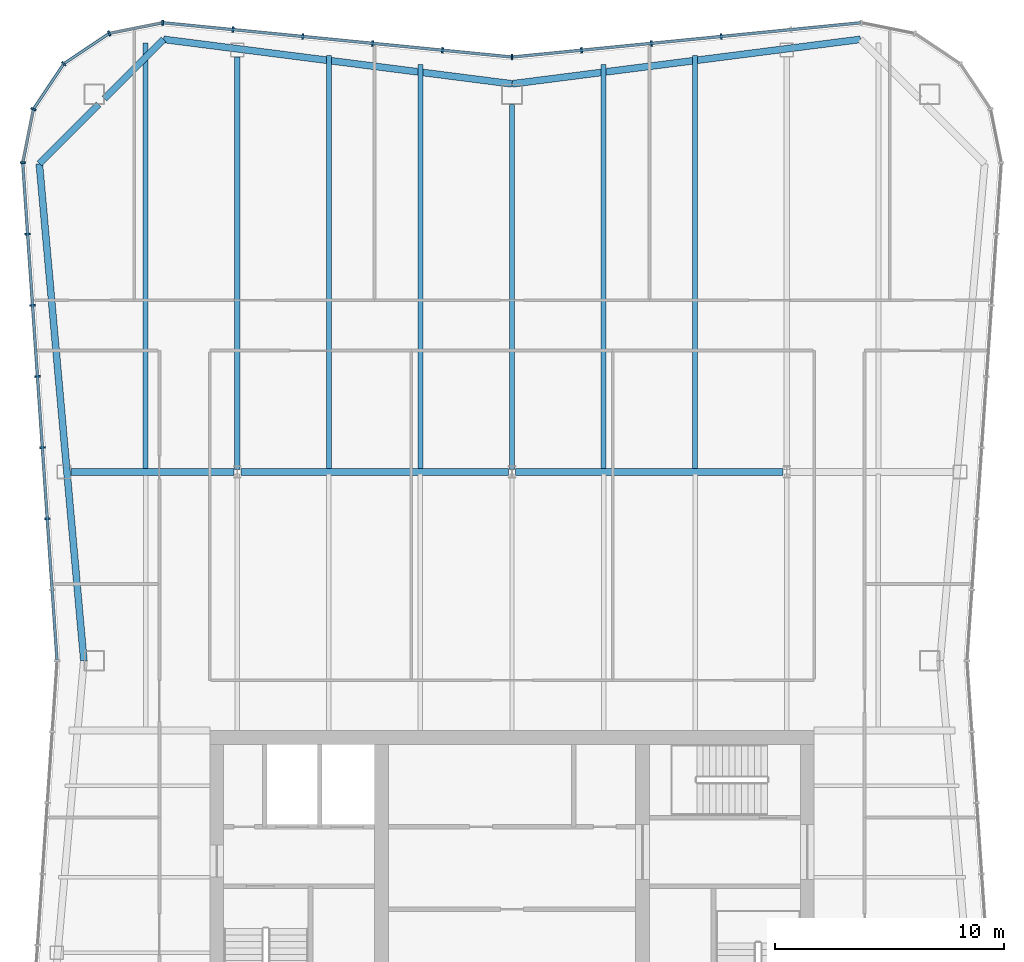
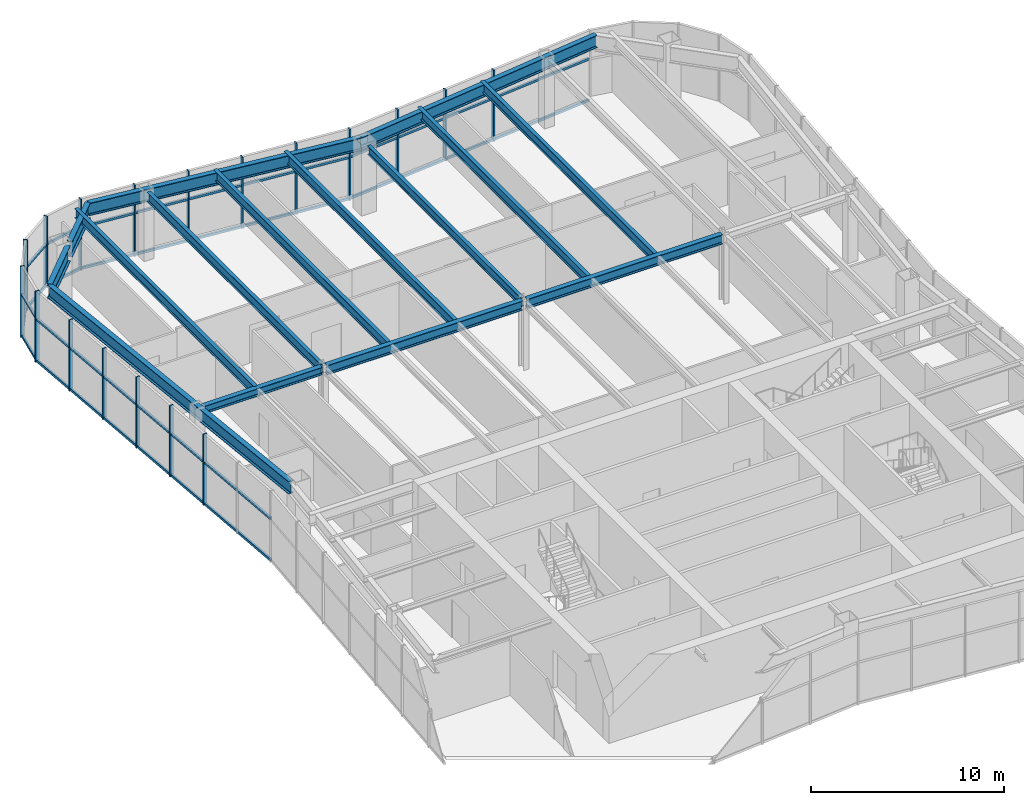
# One storey, part 6 of 13: 32 members, 15 beams, 3 elements without a shape of their own.
"""IFC4 building model written with IfcOpenShell, lengths in metres."""

from ifc_helpers import new_model, si_unit, direction, frame, origin, origin_2d, place, context, subcontext, project, spatial, rectangle, i_section, extrude, material, material_profile, profile_set, type_object, element, aggregate, save


model = new_model("IFC4")

# Units and contexts
model_context = context("Model", 3, precision=1e-05, world=origin(), true_north=direction((0.0, 1.0)))
body_context = subcontext(model_context, "Body", "Model", "MODEL_VIEW")
ifc_project = project(units=[si_unit("LENGTHUNIT", "METRE"), si_unit("AREAUNIT", "SQUARE_METRE"), si_unit("VOLUMEUNIT", "CUBIC_METRE"), si_unit("PLANEANGLEUNIT", "RADIAN"), si_unit("MASSUNIT", "GRAM", prefix="KILO")], contexts=[model_context])

# Site, building, storey
site_placement = place(None, origin())
site = spatial("IfcSite", under=ifc_project, at=site_placement, CompositionType="ELEMENT")
building_placement = place(site_placement, origin())
building = spatial("IfcBuilding", under=site, at=building_placement, Name="Verdant Reach Tower", CompositionType="ELEMENT")
storey_placement = place(building_placement, frame((0.0, 0.0, 359.5)))
storey = spatial("IfcBuildingStorey", under=building, at=storey_placement, Name="L81 Plant", CompositionType="ELEMENT", Elevation=359.5)

# Curtain wall, members
ifc_material_1 = material(Name="Anodised aluminium", Category="aluminium")
curtain_wall_type = type_object("IfcCurtainWallType", Name="EN-CW SYSTEM PLANT", PredefinedType="NOTDEFINED", material=ifc_material_1)
curtain_wall_1_placement = place(storey_placement, origin())
curtain_wall_1 = element("IfcCurtainWall", 1, at=curtain_wall_1_placement, inside=storey, type_object=curtain_wall_type, Name="Curtain wall north, L81", PredefinedType="NOTDEFINED")
ifc_material_profile_1 = material_profile(ifc_material_1, rectangle(XDim=0.238037109375, YDim=0.080078125, at=origin_2d()), Name="Mullion 80x240")
ifc_profile_set_1 = profile_set([ifc_material_profile_1], Name="Anodised aluminium")
member_type_1 = type_object("IfcMemberType", Name="EN-MULLION PLANT", PredefinedType="MULLION", material=ifc_profile_set_1)
member_1_placement = place(storey_placement, frame((9.138427734375, 68.518310546875, -0.35009765625), z_axis=(0.0, 0.0, 1.0), x_axis=(-0.09788826992, 0.995197410875, 0.0)))
member_1 = element("IfcMember", 2, at=member_1_placement, type_object=member_type_1, Name="Mullion north face part 1 3, L81", PredefinedType="MULLION", context=body_context, shape_type="SweptSolid", body=[
    extrude(rectangle(XDim=0.238037109375, YDim=0.080078125, at=origin_2d()), origin(), (0.0, 0.0, 1.0), 4.5),
])
member_2_placement = place(storey_placement, frame((6.08837890625, 68.218505859375, -0.35009765625), z_axis=(0.0, 0.0, 1.0), x_axis=(-0.09788826992, 0.995197410875, 0.0)))
member_2 = element("IfcMember", 3, at=member_2_placement, type_object=member_type_1, Name="Mullion north face part 1 4, L81", PredefinedType="MULLION", context=body_context, shape_type="SweptSolid", body=[
    extrude(rectangle(XDim=0.238037109375, YDim=0.080078125, at=origin_2d()), origin(), (0.0, 0.0, 1.0), 4.5),
])
member_3_placement = place(storey_placement, frame((3.038330078125, 67.91845703125, -0.35009765625), z_axis=(0.0, 0.0, 1.0), x_axis=(-0.09788826992, 0.995197410875, 0.0)))
member_3 = element("IfcMember", 4, at=member_3_placement, type_object=member_type_1, Name="Mullion north face part 1 5, L81", PredefinedType="MULLION", context=body_context, shape_type="SweptSolid", body=[
    extrude(rectangle(XDim=0.238037109375, YDim=0.080078125, at=origin_2d()), origin(), (0.0, 0.0, 1.0), 4.5),
])
member_4_placement = place(storey_placement, frame((0.0, 67.618896484375, -0.35009765625), z_axis=(0.0, 0.0, 1.0), x_axis=(0.0, 1.0, 0.0)))
member_4 = element("IfcMember", 5, at=member_4_placement, type_object=member_type_1, Name="Mullion north face part 2 1, L81", PredefinedType="MULLION", context=body_context, shape_type="SweptSolid", body=[
    extrude(rectangle(XDim=0.238037109375, YDim=0.080078125, at=origin_2d()), origin(), (0.0, 0.0, 1.0), 4.5),
])
member_5_placement = place(storey_placement, frame((-3.038330078125, 67.91845703125, -0.35009765625), z_axis=(0.0, 0.0, 1.0), x_axis=(0.09788826992, 0.995197410875, 0.0)))
member_5 = element("IfcMember", 6, at=member_5_placement, type_object=member_type_1, Name="Mullion north face part 2 2, L81", PredefinedType="MULLION", context=body_context, shape_type="SweptSolid", body=[
    extrude(rectangle(XDim=0.238037109375, YDim=0.080078125, at=origin_2d()), origin(), (0.0, 0.0, 1.0), 4.5),
])
member_6_placement = place(storey_placement, frame((-6.08837890625, 68.218505859375, -0.35009765625), z_axis=(0.0, 0.0, 1.0), x_axis=(0.09788826992, 0.995197410875, 0.0)))
member_6 = element("IfcMember", 7, at=member_6_placement, type_object=member_type_1, Name="Mullion north face part 2 3, L81", PredefinedType="MULLION", context=body_context, shape_type="SweptSolid", body=[
    extrude(rectangle(XDim=0.238037109375, YDim=0.080078125, at=origin_2d()), origin(), (0.0, 0.0, 1.0), 4.5),
])
member_7_placement = place(storey_placement, frame((-9.138427734375, 68.518310546875, -0.35009765625), z_axis=(0.0, 0.0, 1.0), x_axis=(0.09788826992, 0.995197410875, 0.0)))
member_7 = element("IfcMember", 8, at=member_7_placement, type_object=member_type_1, Name="Mullion north face part 2 4, L81", PredefinedType="MULLION", context=body_context, shape_type="SweptSolid", body=[
    extrude(rectangle(XDim=0.238037109375, YDim=0.080078125, at=origin_2d()), origin(), (0.0, 0.0, 1.0), 4.5),
])
member_8_placement = place(storey_placement, frame((-12.188232421875, 68.818359375, -0.35009765625), z_axis=(0.0, 0.0, 1.0), x_axis=(0.09788826992, 0.995197410875, 0.0)))
member_8 = element("IfcMember", 9, at=member_8_placement, type_object=member_type_1, Name="Mullion north face part 2 5, L81", PredefinedType="MULLION", context=body_context, shape_type="SweptSolid", body=[
    extrude(rectangle(XDim=0.238037109375, YDim=0.080078125, at=origin_2d()), origin(), (0.0, 0.0, 1.0), 4.5),
])

curtain_wall_2_placement = place(storey_placement, origin())
curtain_wall_2 = element("IfcCurtainWall", 10, at=curtain_wall_2_placement, inside=storey, type_object=curtain_wall_type, Name="Curtain wall north-west corner, L81", PredefinedType="NOTDEFINED")
member_9_placement = place(storey_placement, frame((-15.255859375, 69.118896484375, -0.35009765625), z_axis=(0.0, 0.0, 1.0), x_axis=(-0.049127596288, 0.998792510626, 0.0)))
member_9 = element("IfcMember", 11, at=member_9_placement, type_object=member_type_1, Name="Mullion north-west corner 1, L81", PredefinedType="MULLION", context=body_context, shape_type="SweptSolid", body=[
    extrude(rectangle(XDim=0.238037109375, YDim=0.080078125, at=origin_2d()), origin(), (0.0, 0.0, 1.0), 4.5),
])
member_10_placement = place(storey_placement, frame((-17.591552734375, 68.6533203125, -0.35009765625), z_axis=(0.0, 0.0, 1.0), x_axis=(-0.382693853776, 0.923875215753, 0.0)))
member_10 = element("IfcMember", 12, at=member_10_placement, type_object=member_type_1, Name="Mullion north-west corner 2, L81", PredefinedType="MULLION", context=body_context, shape_type="SweptSolid", body=[
    extrude(rectangle(XDim=0.238037109375, YDim=0.080078125, at=origin_2d()), origin(), (0.0, 0.0, 1.0), 4.5),
])
member_11_placement = place(storey_placement, frame((-19.57666015625, 67.32666015625, -0.35009765625), z_axis=(0.0, 0.0, 1.0), x_axis=(-0.707106781187, 0.707106781187, 0.0)))
member_11 = element("IfcMember", 13, at=member_11_placement, type_object=member_type_1, Name="Mullion north-west corner 3, L81", PredefinedType="MULLION", context=body_context, shape_type="SweptSolid", body=[
    extrude(rectangle(XDim=0.238037109375, YDim=0.080078125, at=origin_2d()), origin(), (0.0, 0.0, 1.0), 4.5),
])
member_12_placement = place(storey_placement, frame((-20.9033203125, 65.341552734375, -0.35009765625), z_axis=(0.0, 0.0, 1.0), x_axis=(-0.923875215753, 0.382693853776, 0.0)))
member_12 = element("IfcMember", 14, at=member_12_placement, type_object=member_type_1, Name="Mullion north-west corner 4, L81", PredefinedType="MULLION", context=body_context, shape_type="SweptSolid", body=[
    extrude(rectangle(XDim=0.238037109375, YDim=0.080078125, at=origin_2d()), origin(), (0.0, 0.0, 1.0), 4.5),
])

curtain_wall_3_placement = place(storey_placement, origin())
curtain_wall_3 = element("IfcCurtainWall", 15, at=curtain_wall_3_placement, inside=storey, type_object=curtain_wall_type, Name="Curtain wall west, L81", PredefinedType="NOTDEFINED")
member_13_placement = place(storey_placement, frame((-21.36865234375, 63.007568359375, -0.35009765625), z_axis=(0.0, 0.0, 1.0), x_axis=(-0.997969180898, 0.063698618332, 0.0)))
member_13 = element("IfcMember", 16, at=member_13_placement, type_object=member_type_1, Name="Mullion west face part 1 1, L81", PredefinedType="MULLION", context=body_context, shape_type="SweptSolid", body=[
    extrude(rectangle(XDim=0.238037109375, YDim=0.080078125, at=origin_2d()), origin(), (0.0, 0.0, 1.0), 4.5),
])
member_14_placement = place(storey_placement, frame((-21.154541015625, 59.884765625, -0.35009765625), z_axis=(0.0, 0.0, 1.0), x_axis=(-0.997630328423, -0.068802091615, 0.0)))
member_14 = element("IfcMember", 17, at=member_14_placement, type_object=member_type_1, Name="Mullion west face part 1 2, L81", PredefinedType="MULLION", context=body_context, shape_type="SweptSolid", body=[
    extrude(rectangle(XDim=0.238037109375, YDim=0.080078125, at=origin_2d()), origin(), (0.0, 0.0, 1.0), 4.5),
])
member_15_placement = place(storey_placement, frame((-20.940185546875, 56.777587890625, -0.35009765625), z_axis=(0.0, 0.0, 1.0), x_axis=(-0.997630328423, -0.068802091615, 0.0)))
member_15 = element("IfcMember", 18, at=member_15_placement, type_object=member_type_1, Name="Mullion west face part 1 3, L81", PredefinedType="MULLION", context=body_context, shape_type="SweptSolid", body=[
    extrude(rectangle(XDim=0.238037109375, YDim=0.080078125, at=origin_2d()), origin(), (0.0, 0.0, 1.0), 4.5),
])
member_16_placement = place(storey_placement, frame((-20.725830078125, 53.67041015625, -0.35009765625), z_axis=(0.0, 0.0, 1.0), x_axis=(-0.997630328423, -0.068802091615, 0.0)))
member_16 = element("IfcMember", 19, at=member_16_placement, type_object=member_type_1, Name="Mullion west face part 1 4, L81", PredefinedType="MULLION", context=body_context, shape_type="SweptSolid", body=[
    extrude(rectangle(XDim=0.238037109375, YDim=0.080078125, at=origin_2d()), origin(), (0.0, 0.0, 1.0), 4.5),
])
member_17_placement = place(storey_placement, frame((-20.511474609375, 50.563232421875, -0.35009765625), z_axis=(0.0, 0.0, 1.0), x_axis=(-0.997630328423, -0.068802091615, 0.0)))
member_17 = element("IfcMember", 20, at=member_17_placement, type_object=member_type_1, Name="Mullion west face part 1 5, L81", PredefinedType="MULLION", context=body_context, shape_type="SweptSolid", body=[
    extrude(rectangle(XDim=0.238037109375, YDim=0.080078125, at=origin_2d()), origin(), (0.0, 0.0, 1.0), 4.5),
])
member_18_placement = place(storey_placement, frame((-20.29736328125, 47.4560546875, -0.35009765625), z_axis=(0.0, 0.0, 1.0), x_axis=(-0.997630328423, -0.068802091615, 0.0)))
member_18 = element("IfcMember", 21, at=member_18_placement, type_object=member_type_1, Name="Mullion west face part 1 6, L81", PredefinedType="MULLION", context=body_context, shape_type="SweptSolid", body=[
    extrude(rectangle(XDim=0.238037109375, YDim=0.080078125, at=origin_2d()), origin(), (0.0, 0.0, 1.0), 4.5),
])

# Member
ifc_material_profile_2 = material_profile(ifc_material_1, rectangle(XDim=0.1201171875, YDim=0.14990234375, at=origin_2d()), Name="Transom 150x120")
ifc_profile_set_2 = profile_set([ifc_material_profile_2], Name="Anodised aluminium")
member_type_2 = type_object("IfcMemberType", Name="EN-TRANSOM PLANT", PredefinedType="USERDEFINED", material=ifc_profile_set_2)
member_19_placement = place(storey_placement, frame((15.216064453125, 69.114990234375, -0.27490234375), z_axis=(-0.995200989722, -0.097851878144, 0.0), x_axis=(0.097851878144, -0.995200989722, 0.0)))
member_19 = element("IfcMember", 22, at=member_19_placement, type_object=member_type_2, Name="Transom north face part 1 1.1, L81", ObjectType="TRANSOM", PredefinedType="USERDEFINED", context=body_context, shape_type="SweptSolid", body=[
    extrude(rectangle(XDim=0.1201171875, YDim=0.14990234375, at=origin_2d()), origin(), (0.0, 0.0, 1.0), 15.24951171875),
])

member_20_placement = place(storey_placement, frame((15.216064453125, 69.114990234375, 2.35009765625), z_axis=(-0.995200989722, -0.097851878144, 0.0), x_axis=(0.097851878144, -0.995200989722, 0.0)))
member_20 = element("IfcMember", 23, at=member_20_placement, type_object=member_type_2, Name="Transom north face part 1 1.2, L81", ObjectType="TRANSOM", PredefinedType="USERDEFINED", context=body_context, shape_type="SweptSolid", body=[
    extrude(rectangle(XDim=0.1201171875, YDim=0.14990234375, at=origin_2d()), origin(), (0.0, 0.0, 1.0), 15.24951171875),
])

member_21_placement = place(storey_placement, frame((-0.039794921875, 67.622802734375, -0.27490234375), z_axis=(-0.995200989722, 0.097851878144, 0.0), x_axis=(-0.097851878144, -0.995200989722, 0.0)))
member_21 = element("IfcMember", 24, at=member_21_placement, type_object=member_type_2, Name="Transom north face part 2 1.1, L81", ObjectType="TRANSOM", PredefinedType="USERDEFINED", context=body_context, shape_type="SweptSolid", body=[
    extrude(rectangle(XDim=0.1201171875, YDim=0.14990234375, at=origin_2d()), origin(), (0.0, 0.0, 1.0), 15.24951171875),
])

member_22_placement = place(storey_placement, frame((-0.039794921875, 67.622802734375, 2.35009765625), z_axis=(-0.995200989722, 0.097851878144, 0.0), x_axis=(-0.097851878144, -0.995200989722, 0.0)))
member_22 = element("IfcMember", 25, at=member_22_placement, type_object=member_type_2, Name="Transom north face part 2 1.2, L81", ObjectType="TRANSOM", PredefinedType="USERDEFINED", context=body_context, shape_type="SweptSolid", body=[
    extrude(rectangle(XDim=0.1201171875, YDim=0.14990234375, at=origin_2d()), origin(), (0.0, 0.0, 1.0), 15.24951171875),
])

aggregate(curtain_wall_1, [member_1, member_2, member_3, member_19, member_20, member_4, member_5, member_6, member_7, member_8, member_21, member_22])

member_23_placement = place(storey_placement, frame((-15.295166015625, 69.111083984375, -0.27490234375), z_axis=(-0.980706937788, -0.195483764476, 0.0), x_axis=(0.195483764476, -0.980706937788, 0.0)))
member_23 = element("IfcMember", 26, at=member_23_placement, type_object=member_type_2, Name="Transom north-west corner 1.1, L81", ObjectType="TRANSOM", PredefinedType="USERDEFINED", context=body_context, shape_type="SweptSolid", body=[
    extrude(rectangle(XDim=0.1201171875, YDim=0.14990234375, at=origin_2d()), origin(), (0.0, 0.0, 1.0), 2.3017578125),
])

member_24_placement = place(storey_placement, frame((-17.625, 68.631103515625, -0.27490234375), z_axis=(-0.831398626828, -0.5556764556, 0.0), x_axis=(0.5556764556, -0.831398626828, 0.0)))
member_24 = element("IfcMember", 27, at=member_24_placement, type_object=member_type_2, Name="Transom north-west corner 2.1, L81", ObjectType="TRANSOM", PredefinedType="USERDEFINED", context=body_context, shape_type="SweptSolid", body=[
    extrude(rectangle(XDim=0.1201171875, YDim=0.14990234375, at=origin_2d()), origin(), (0.0, 0.0, 1.0), 2.3076171875),
])

member_25_placement = place(storey_placement, frame((-19.598876953125, 67.29345703125, -0.27490234375), z_axis=(-0.5556764556, -0.831398626828, 0.0), x_axis=(0.831398626828, -0.5556764556, 0.0)))
member_25 = element("IfcMember", 28, at=member_25_placement, type_object=member_type_2, Name="Transom north-west corner 3.1, L81", ObjectType="TRANSOM", PredefinedType="USERDEFINED", context=body_context, shape_type="SweptSolid", body=[
    extrude(rectangle(XDim=0.1201171875, YDim=0.14990234375, at=origin_2d()), origin(), (0.0, 0.0, 1.0), 2.3076171875),
])

member_26_placement = place(storey_placement, frame((-20.9111328125, 65.302490234375, -0.27490234375), z_axis=(-0.195524121666, -0.980698892549, 0.0), x_axis=(0.980698892549, -0.195524121666, 0.0)))
member_26 = element("IfcMember", 29, at=member_26_placement, type_object=member_type_2, Name="Transom north-west corner 4.1, L81", ObjectType="TRANSOM", PredefinedType="USERDEFINED", context=body_context, shape_type="SweptSolid", body=[
    extrude(rectangle(XDim=0.1201171875, YDim=0.14990234375, at=origin_2d()), origin(), (0.0, 0.0, 1.0), 2.300048828125),
])

member_27_placement = place(storey_placement, frame((-15.295166015625, 69.111083984375, 2.35009765625), z_axis=(-0.980706937788, -0.195483764476, 0.0), x_axis=(0.195483764476, -0.980706937788, 0.0)))
member_27 = element("IfcMember", 30, at=member_27_placement, type_object=member_type_2, Name="Transom north-west corner 1.2, L81", ObjectType="TRANSOM", PredefinedType="USERDEFINED", context=body_context, shape_type="SweptSolid", body=[
    extrude(rectangle(XDim=0.1201171875, YDim=0.14990234375, at=origin_2d()), origin(), (0.0, 0.0, 1.0), 2.3017578125),
])

member_28_placement = place(storey_placement, frame((-17.625, 68.631103515625, 2.35009765625), z_axis=(-0.831398626828, -0.5556764556, 0.0), x_axis=(0.5556764556, -0.831398626828, 0.0)))
member_28 = element("IfcMember", 31, at=member_28_placement, type_object=member_type_2, Name="Transom north-west corner 2.2, L81", ObjectType="TRANSOM", PredefinedType="USERDEFINED", context=body_context, shape_type="SweptSolid", body=[
    extrude(rectangle(XDim=0.1201171875, YDim=0.14990234375, at=origin_2d()), origin(), (0.0, 0.0, 1.0), 2.3076171875),
])

member_29_placement = place(storey_placement, frame((-19.598876953125, 67.29345703125, 2.35009765625), z_axis=(-0.5556764556, -0.831398626828, 0.0), x_axis=(0.831398626828, -0.5556764556, 0.0)))
member_29 = element("IfcMember", 32, at=member_29_placement, type_object=member_type_2, Name="Transom north-west corner 3.2, L81", ObjectType="TRANSOM", PredefinedType="USERDEFINED", context=body_context, shape_type="SweptSolid", body=[
    extrude(rectangle(XDim=0.1201171875, YDim=0.14990234375, at=origin_2d()), origin(), (0.0, 0.0, 1.0), 2.3076171875),
])

member_30_placement = place(storey_placement, frame((-20.9111328125, 65.302490234375, 2.35009765625), z_axis=(-0.195524121666, -0.980698892549, 0.0), x_axis=(0.980698892549, -0.195524121666, 0.0)))
member_30 = element("IfcMember", 33, at=member_30_placement, type_object=member_type_2, Name="Transom north-west corner 4.2, L81", ObjectType="TRANSOM", PredefinedType="USERDEFINED", context=body_context, shape_type="SweptSolid", body=[
    extrude(rectangle(XDim=0.1201171875, YDim=0.14990234375, at=origin_2d()), origin(), (0.0, 0.0, 1.0), 2.300048828125),
])

aggregate(curtain_wall_2, [member_9, member_10, member_11, member_12, member_23, member_24, member_25, member_26, member_27, member_28, member_29, member_30])

member_31_placement = place(storey_placement, frame((-21.365966796875, 62.9677734375, -0.27490234375), z_axis=(0.068761218296, -0.997633146431, 0.0), x_axis=(0.997633146431, 0.068761218296, 0.0)))
member_31 = element("IfcMember", 34, at=member_31_placement, type_object=member_type_2, Name="Transom west face part 1 1.1, L81", ObjectType="TRANSOM", PredefinedType="USERDEFINED", context=body_context, shape_type="SweptSolid", body=[
    extrude(rectangle(XDim=0.1201171875, YDim=0.14990234375, at=origin_2d()), origin(), (0.0, 0.0, 1.0), 21.7294921875),
])

member_32_placement = place(storey_placement, frame((-21.365966796875, 62.9677734375, 2.35009765625), z_axis=(0.068761218296, -0.997633146431, 0.0), x_axis=(0.997633146431, 0.068761218296, 0.0)))
member_32 = element("IfcMember", 35, at=member_32_placement, type_object=member_type_2, Name="Transom west face part 1 1.2, L81", ObjectType="TRANSOM", PredefinedType="USERDEFINED", context=body_context, shape_type="SweptSolid", body=[
    extrude(rectangle(XDim=0.1201171875, YDim=0.14990234375, at=origin_2d()), origin(), (0.0, 0.0, 1.0), 21.7294921875),
])

aggregate(curtain_wall_3, [member_13, member_14, member_15, member_16, member_17, member_18, member_31, member_32])

# Beams
ifc_material_2 = material(Name="Steel S355", Category="steel")
ifc_material_profile_3 = material_profile(ifc_material_2, i_section(OverallWidth=0.300048828125, OverallDepth=0.489990234375, WebThickness=0.011962890625, FlangeThickness=0.02294921875, FilletRadius=0.027099609375, at=origin_2d()), Name="HEA 500")
ifc_profile_set_3 = profile_set([ifc_material_profile_3], Name="Steel S355")
beam_type_1 = type_object("IfcBeamType", Name="ST-BEAM-HEA500", PredefinedType="BEAM", material=ifc_profile_set_3)
beam_1_placement = place(storey_placement, frame((-19.26904296875, 49.5, 4.10498046875), z_axis=(1.0, 0.0, 0.0), x_axis=(0.0, 1.0, 0.0)))
element("IfcBeam", 36, at=beam_1_placement, inside=storey, type_object=beam_type_1, Name="Row girder, L81 Plant", PredefinedType="BEAM", context=body_context, shape_type="SweptSolid", body=[
    extrude(i_section(OverallWidth=0.300048828125, OverallDepth=0.489990234375, WebThickness=0.011962890625, FlangeThickness=0.02294921875, FilletRadius=0.027099609375, at=origin_2d()), origin(), (0.0, 0.0, 1.0), 7.115966796875),
])
ifc_material_profile_4 = material_profile(ifc_material_2, i_section(OverallWidth=0.300048828125, OverallDepth=0.60009765625, WebThickness=0.015380859375, FlangeThickness=0.030029296875, FilletRadius=0.027099609375, at=origin_2d()), Name="HEB 600")
ifc_profile_set_4 = profile_set([ifc_material_profile_4], Name="Steel S355")
beam_type_2 = type_object("IfcBeamType", Name="ST-BEAM-HEB600", PredefinedType="BEAM", material=ifc_profile_set_4)
for number, where, z_axis, x_axis, name in (
    (37, (-11.846923828125, 49.5, 4.050048828125), (1.0, 0.0, 0.0), (0.0, 1.0, 0.0), "Row girder, L81 Plant"),
    (38, (0.153076171875, 49.5, 4.050048828125), (1.0, 0.0, 0.0), (0.0, 1.0, 0.0), "Row girder, L81 Plant"),
):
    element("IfcBeam", number, at=place(storey_placement, frame(where, z_axis=z_axis, x_axis=x_axis)), inside=storey, type_object=beam_type_2, Name=name, PredefinedType="BEAM", context=body_context, shape_type="SweptSolid", body=[
        extrude(i_section(OverallWidth=0.300048828125, OverallDepth=0.60009765625, WebThickness=0.015380859375, FlangeThickness=0.030029296875, FilletRadius=0.027099609375, at=origin_2d()), origin(), (0.0, 0.0, 1.0), 11.69384765625),
    ])
ifc_material_profile_5 = material_profile(ifc_material_2, i_section(OverallWidth=0.2099609375, OverallDepth=0.550048828125, WebThickness=0.010986328125, FlangeThickness=0.01708984375, FilletRadius=0.02392578125, at=origin_2d()), Name="IPE 550")
ifc_profile_set_5 = profile_set([ifc_material_profile_5], Name="Steel S355")
beam_type_3 = type_object("IfcBeamType", Name="ST-JOIST-IPE550", PredefinedType="JOIST", material=ifc_profile_set_5)
beam_2_placement = place(storey_placement, frame((0.0, 49.60009765625, 4.074951171875), z_axis=(0.0, 1.0, 0.0), x_axis=(-1.0, 0.0, 0.0)))
element("IfcBeam", 39, at=beam_2_placement, inside=storey, type_object=beam_type_3, Name="Floor joist, L81 Plant", PredefinedType="JOIST", context=body_context, shape_type="SweptSolid", body=[
    extrude(i_section(OverallWidth=0.2099609375, OverallDepth=0.550048828125, WebThickness=0.010986328125, FlangeThickness=0.01708984375, FilletRadius=0.02392578125, at=origin_2d()), origin(), (0.0, 0.0, 1.0), 15.949951171875),
])
ifc_material_profile_6 = material_profile(ifc_material_2, i_section(OverallWidth=0.219970703125, OverallDepth=0.60009765625, WebThickness=0.011962890625, FlangeThickness=0.01904296875, FilletRadius=0.02392578125, at=origin_2d()), Name="IPE 600")
ifc_profile_set_6 = profile_set([ifc_material_profile_6], Name="Steel S355")
beam_type_4 = type_object("IfcBeamType", Name="ST-JOIST-IPE600", PredefinedType="JOIST", material=ifc_profile_set_6)
beam_3_placement = place(storey_placement, frame((-16.0, 49.60009765625, 4.050048828125), z_axis=(0.0, 1.0, 0.0), x_axis=(-1.0, 0.0, 0.0)))
element("IfcBeam", 40, at=beam_3_placement, inside=storey, type_object=beam_type_4, Name="Floor joist, L81 Plant", PredefinedType="JOIST", context=body_context, shape_type="SweptSolid", body=[
    extrude(i_section(OverallWidth=0.219970703125, OverallDepth=0.60009765625, WebThickness=0.011962890625, FlangeThickness=0.01904296875, FilletRadius=0.02392578125, at=origin_2d()), origin(), (0.0, 0.0, 1.0), 18.638916015625),
])
beam_4_placement = place(storey_placement, frame((-12.0, 49.60009765625, 4.050048828125), z_axis=(0.0, 1.0, 0.0), x_axis=(-1.0, 0.0, 0.0)))
element("IfcBeam", 41, at=beam_4_placement, inside=storey, type_object=beam_type_4, Name="Floor joist, L81 Plant", PredefinedType="JOIST", context=body_context, shape_type="SweptSolid", body=[
    extrude(i_section(OverallWidth=0.219970703125, OverallDepth=0.60009765625, WebThickness=0.011962890625, FlangeThickness=0.01904296875, FilletRadius=0.02392578125, at=origin_2d()), origin(), (0.0, 0.0, 1.0), 18.0302734375),
])
beam_5_placement = place(storey_placement, frame((-8.0, 49.60009765625, 4.050048828125), z_axis=(0.0, 1.0, 0.0), x_axis=(-1.0, 0.0, 0.0)))
element("IfcBeam", 42, at=beam_5_placement, inside=storey, type_object=beam_type_4, Name="Floor joist, L81 Plant", PredefinedType="JOIST", context=body_context, shape_type="SweptSolid", body=[
    extrude(i_section(OverallWidth=0.219970703125, OverallDepth=0.60009765625, WebThickness=0.011962890625, FlangeThickness=0.01904296875, FilletRadius=0.02392578125, at=origin_2d()), origin(), (0.0, 0.0, 1.0), 18.083984375),
])
for number, where, z_axis, x_axis, name in (
    (43, (-4.0, 49.60009765625, 4.050048828125), (0.0, 1.0, 0.0), (-1.0, 0.0, 0.0), "Floor joist, L81 Plant"),
    (44, (4.0, 49.60009765625, 4.050048828125), (0.0, 1.0, 0.0), (-1.0, 0.0, 0.0), "Floor joist, L81 Plant"),
):
    element("IfcBeam", number, at=place(storey_placement, frame(where, z_axis=z_axis, x_axis=x_axis)), inside=storey, type_object=beam_type_4, Name=name, PredefinedType="JOIST", context=body_context, shape_type="SweptSolid", body=[
        extrude(i_section(OverallWidth=0.219970703125, OverallDepth=0.60009765625, WebThickness=0.011962890625, FlangeThickness=0.01904296875, FilletRadius=0.02392578125, at=origin_2d()), origin(), (0.0, 0.0, 1.0), 17.6904296875),
    ])
beam_6_placement = place(storey_placement, frame((8.0, 49.60009765625, 4.050048828125), z_axis=(0.0, 1.0, 0.0), x_axis=(-1.0, 0.0, 0.0)))
element("IfcBeam", 45, at=beam_6_placement, inside=storey, type_object=beam_type_4, Name="Floor joist, L81 Plant", PredefinedType="JOIST", context=body_context, shape_type="SweptSolid", body=[
    extrude(i_section(OverallWidth=0.219970703125, OverallDepth=0.60009765625, WebThickness=0.011962890625, FlangeThickness=0.01904296875, FilletRadius=0.02392578125, at=origin_2d()), origin(), (0.0, 0.0, 1.0), 18.083984375),
])
ifc_material_profile_7 = material_profile(ifc_material_2, i_section(OverallWidth=0.300048828125, OverallDepth=0.800048828125, WebThickness=0.017578125, FlangeThickness=0.032958984375, FilletRadius=0.030029296875, at=origin_2d()), Name="HEB 800")
ifc_profile_set_7 = profile_set([ifc_material_profile_7], Name="Steel S355")
beam_type_5 = type_object("IfcBeamType", Name="ST-SPANDREL-HEB800", PredefinedType="SPANDREL", material=ifc_profile_set_7)
beam_7_placement = place(storey_placement, frame((-18.699951171875, 41.25, 3.949951171875), z_axis=(-0.089274399498, 0.996007069048, 0.0), x_axis=(-0.996007069048, -0.089274399498, 0.0)))
element("IfcBeam", 46, at=beam_7_placement, inside=storey, type_object=beam_type_5, Name="Edge beam, L81 Plant", PredefinedType="SPANDREL", context=body_context, shape_type="SweptSolid", body=[
    extrude(i_section(OverallWidth=0.300048828125, OverallDepth=0.800048828125, WebThickness=0.017578125, FlangeThickness=0.032958984375, FilletRadius=0.030029296875, at=origin_2d()), origin(), (0.0, 0.0, 1.0), 21.798583984375),
])
for number, where, z_axis, x_axis, name in (
    (47, (-15.22021484375, 68.394287109375, 3.949951171875), (0.991938889669, -0.126717162063, 0.0), (0.126717162063, 0.991938889669, 0.0), "Edge beam, L81 Plant"),
    (48, (0.0, 66.449951171875, 3.949951171875), (0.991938889669, 0.126717162063, 0.0), (-0.126717162063, 0.991938889669, 0.0), "Edge beam, L81 Plant"),
):
    element("IfcBeam", number, at=place(storey_placement, frame(where, z_axis=z_axis, x_axis=x_axis)), inside=storey, type_object=beam_type_5, Name=name, PredefinedType="SPANDREL", context=body_context, shape_type="SweptSolid", body=[
        extrude(i_section(OverallWidth=0.300048828125, OverallDepth=0.800048828125, WebThickness=0.017578125, FlangeThickness=0.032958984375, FilletRadius=0.030029296875, at=origin_2d()), origin(), (0.0, 0.0, 1.0), 15.343994140625),
    ])
ifc_material_profile_8 = material_profile(ifc_material_2, i_section(OverallWidth=0.302001953125, OverallDepth=1.008056640625, WebThickness=0.02099609375, FlangeThickness=0.0400390625, FilletRadius=0.030029296875, at=origin_2d()), Name="HEM 1000")
ifc_profile_set_8 = profile_set([ifc_material_profile_8], Name="Steel S355")
beam_type_6 = type_object("IfcBeamType", Name="ST-SPANDREL-HEM1000", PredefinedType="SPANDREL", material=ifc_profile_set_8)
beam_8_placement = place(storey_placement, frame((-20.64599609375, 62.96142578125, 3.845947265625), z_axis=(0.706639493403, 0.707573760369, 0.0), x_axis=(-0.707573760369, 0.706639493403, 0.0)))
element("IfcBeam", 49, at=beam_8_placement, inside=storey, type_object=beam_type_6, Name="Edge beam, L81 Plant", PredefinedType="SPANDREL", context=body_context, shape_type="SweptSolid", body=[
    extrude(i_section(OverallWidth=0.302001953125, OverallDepth=1.008056640625, WebThickness=0.02099609375, FlangeThickness=0.0400390625, FilletRadius=0.030029296875, at=origin_2d()), origin(), (0.0, 0.0, 1.0), 3.658447265625),
])
beam_9_placement = place(storey_placement, frame((-17.800048828125, 65.81103515625, 3.845947265625), z_axis=(0.706638520854, 0.707574731632, 0.0), x_axis=(-0.707574731632, 0.706638520854, 0.0)))
element("IfcBeam", 50, at=beam_9_placement, inside=storey, type_object=beam_type_6, Name="Edge beam, L81 Plant", PredefinedType="SPANDREL", context=body_context, shape_type="SweptSolid", body=[
    extrude(i_section(OverallWidth=0.302001953125, OverallDepth=1.008056640625, WebThickness=0.02099609375, FlangeThickness=0.0400390625, FilletRadius=0.030029296875, at=origin_2d()), origin(), (0.0, 0.0, 1.0), 3.65087890625),
])

save(model, "model.ifc")
